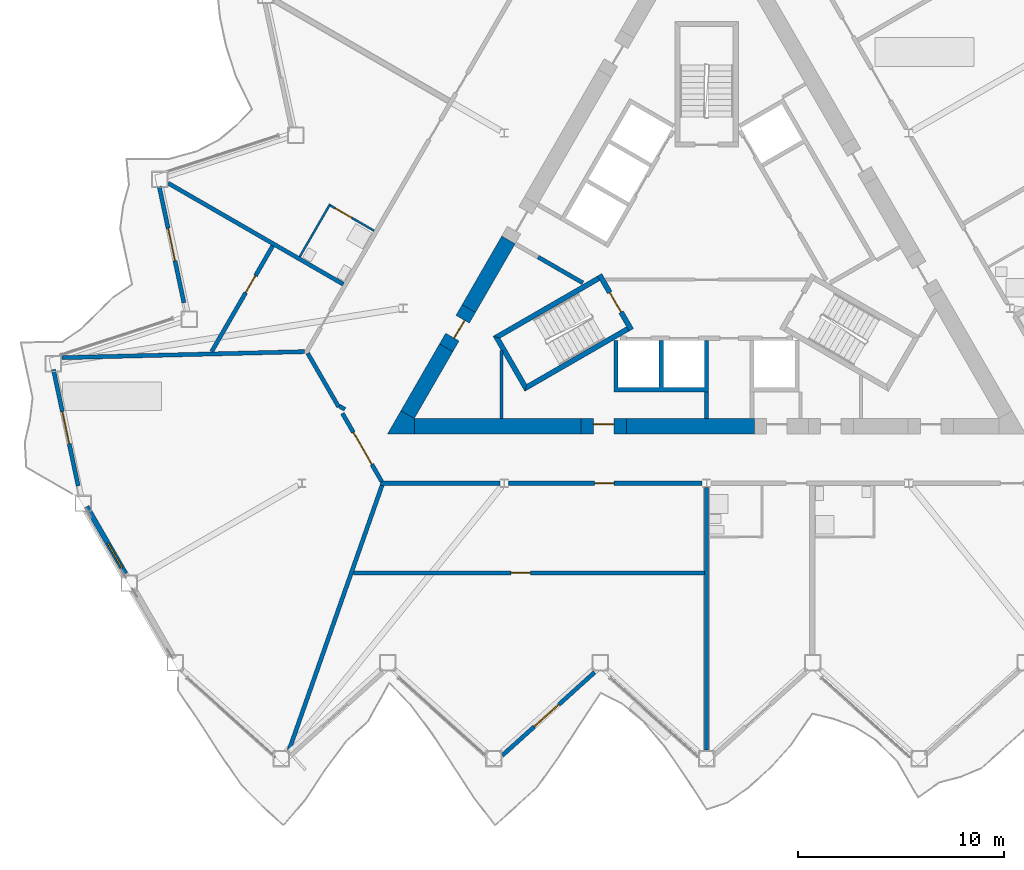
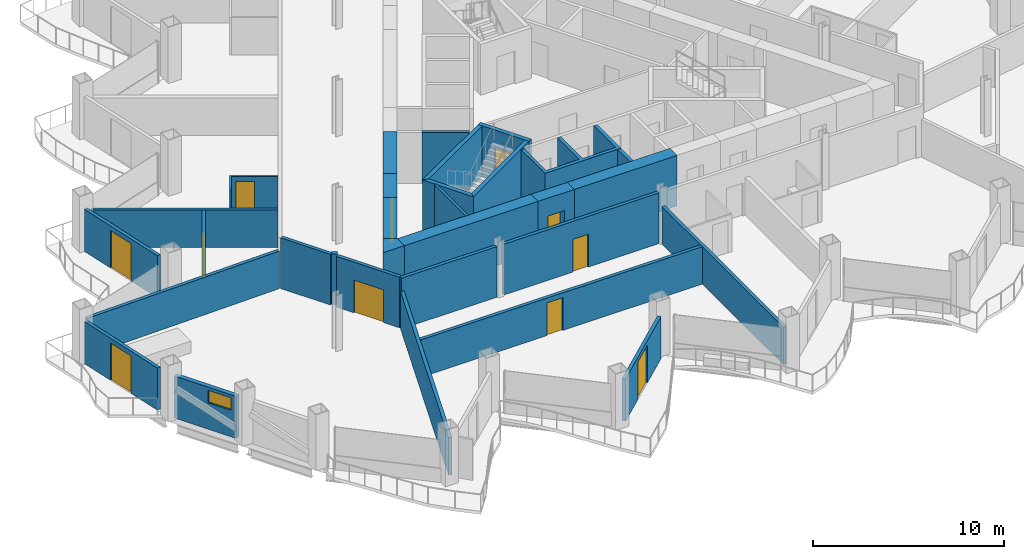
# One storey, part 10 of 22: 32 walls, 11 doors, 1 window, 12 openings.
"""IFC4 building model written with IfcOpenShell, lengths in metres."""

from ifc_helpers import new_model, si_unit, direction, frame, frame_2d, origin, place, context, subcontext, project, spatial, polyline, rectangle, outline, extrude, material, layer, layer_set, type_object, element, fill, save


model = new_model("IFC4")

# Units and contexts
model_context = context("Model", 3, precision=1e-05, world=origin(), true_north=direction((0.0, 1.0)))
body_context = subcontext(model_context, "Body", "Model", "MODEL_VIEW")
ifc_project = project(units=[si_unit("LENGTHUNIT", "METRE"), si_unit("AREAUNIT", "SQUARE_METRE"), si_unit("VOLUMEUNIT", "CUBIC_METRE"), si_unit("PLANEANGLEUNIT", "RADIAN"), si_unit("MASSUNIT", "GRAM", prefix="KILO")], contexts=[model_context])

# Site, building, storey
site_placement = place(None, origin())
site = spatial("IfcSite", under=ifc_project, at=site_placement, CompositionType="ELEMENT")
building_placement = place(site_placement, origin())
building = spatial("IfcBuilding", under=site, at=building_placement, Name="Cormorant Prow Tower", CompositionType="ELEMENT")
storey_placement = place(building_placement, frame((0.0, 0.0, 198.0)))
storey = spatial("IfcBuildingStorey", under=building, at=storey_placement, Name="L43", CompositionType="ELEMENT", Elevation=198.0)

# Walls
ifc_material_1 = material(Name="Gypsum board partition")
ifc_layer_1 = layer(ifc_material_1, 0.14990234375)
ifc_layer_set_1 = layer_set([ifc_layer_1], Name="Gypsum board partition")
wall_type_1 = type_object("IfcWallType", Name="Core partition 150", PredefinedType="PARTITIONING", material=ifc_layer_set_1)
wall_1_placement = place(storey_placement, frame((-9.970703125, -8.198974609375, 0.0), z_axis=(0.0, 0.0, 1.0), x_axis=(0.0, 1.0, 0.0)))
element("IfcWall", 1, at=wall_1_placement, inside=storey, type_object=wall_type_1, Name="Service room partition", PredefinedType="PARTITIONING", context=body_context, shape_type="SweptSolid", body=[
    extrude(rectangle(XDim=3.304931640625, YDim=0.14990234375, at=frame_2d((1.65234375, 0.0))), origin(), (0.0, 0.0, 1.0), 3.25),
])
ifc_material_2 = material(Name="Concrete 8000 psi", Category="concrete")
ifc_layer_2 = layer(ifc_material_2, 0.75)
ifc_layer_set_2 = layer_set([ifc_layer_2], Name="Concrete 8000 psi")
wall_type_2 = type_object("IfcWallType", Name="Core shear wall 750", PredefinedType="SHEAR", material=ifc_layer_set_2)
wall_2_placement = place(storey_placement, frame((-14.200927734375, -8.573974609375, 0.0), z_axis=(0.0, 0.0, 1.0), x_axis=(1.0, 0.0, 0.0)))
element("IfcWall", 2, at=wall_2_placement, inside=storey, type_object=wall_type_2, Name="Core wall", PredefinedType="SHEAR", context=body_context, shape_type="SweptSolid", body=[
    extrude(rectangle(XDim=8.10302734375, YDim=0.75, at=frame_2d((4.051513671875, 0.0))), origin(), (0.0, 0.0, 1.0), 3.25),
])
wall_3_placement = place(storey_placement, frame((-3.897705078125, -8.573974609375, 0.0), z_axis=(0.0, 0.0, 1.0), x_axis=(1.0, 0.0, 0.0)))
element("IfcWall", 3, at=wall_3_placement, inside=storey, type_object=wall_type_2, Name="Core wall", PredefinedType="SHEAR", context=body_context, shape_type="SweptSolid", body=[
    extrude(rectangle(XDim=6.2177734375, YDim=0.75, at=frame_2d((3.10888671875, 0.0))), origin(), (0.0, 0.0, 1.0), 3.25),
])
wall_4_placement = place(storey_placement, frame((-9.625244140625, 0.4765625, 0.0), z_axis=(0.0, 0.0, 1.0), x_axis=(-0.499951145694, -0.866053607994, 0.0)))
element("IfcWall", 4, at=wall_4_placement, inside=storey, type_object=wall_type_2, Name="Core wall", PredefinedType="SHEAR", context=body_context, shape_type="SweptSolid", body=[
    extrude(rectangle(XDim=3.8505859375, YDim=0.75, at=frame_2d((1.92529296875, 0.0))), origin(), (0.0, 0.0, 1.0), 3.25),
])
wall_5_placement = place(storey_placement, frame((-12.650390625, -4.763427734375, 0.0), z_axis=(0.0, 0.0, 1.0), x_axis=(-0.499996681051, -0.866027319972, 0.0)))
element("IfcWall", 5, at=wall_5_placement, inside=storey, type_object=wall_type_2, Name="Core wall", PredefinedType="SHEAR", context=body_context, shape_type="SweptSolid", body=[
    extrude(rectangle(XDim=3.75048828125, YDim=0.75, at=frame_2d((1.875244140625, 0.0))), origin(), (0.0, 0.0, 1.0), 3.25),
])
wall_6_placement = place(storey_placement, origin())
element("IfcWall", 6, at=wall_6_placement, inside=storey, type_object=wall_type_2, Name="Core wall corner", PredefinedType="SHEAR", context=body_context, shape_type="SweptSolid", body=[
    extrude(outline(polyline([(-14.8505859375, -7.823974609375), (-14.200927734375, -8.198974609375), (-14.200927734375, -8.948974609375), (-15.5, -8.948974609375), (-14.8505859375, -7.823974609375)])), origin(), (0.0, 0.0, 1.0), 3.25),
])

# Wall, opening, door
wall_7_placement = place(storey_placement, frame((-6.097900390625, -8.573974609375, 0.0), z_axis=(0.0, 0.0, 1.0), x_axis=(1.0, 0.0, 0.0)))
wall_7 = element("IfcWall", 7, at=wall_7_placement, inside=storey, type_object=wall_type_2, Name="Core wall door panel", PredefinedType="SHEAR", context=body_context, shape_type="SweptSolid", body=[
    extrude(rectangle(XDim=2.2001953125, YDim=0.75, at=frame_2d((1.10009765625, 0.0))), origin(), (0.0, 0.0, 1.0), 3.25),
])
opening_1_placement = place(wall_7_placement, frame((0.60009765625, 0.0, 0.0)))
opening_1 = element("IfcOpeningElement", 8, at=opening_1_placement, cuts=wall_7, Name="Opening L43-C14", PredefinedType="OPENING", context=body_context, shape_type="SweptSolid", body=[
    extrude(rectangle(XDim=1.0, YDim=2.10009765625, at=frame_2d((0.5, 1.050048828125))), frame((0.0, 0.385009765625, 0.0), z_axis=(0.0, -1.0, 0.0), x_axis=(1.0, 0.0, 0.0)), (0.0, 0.0, 1.0), 0.77001953125),
])
ifc_material_3 = material(Name="Painted steel", Category="steel")
door_type_1 = type_object("IfcDoorType", Name="Service door 1000x2100", OperationType="NOTDEFINED", PredefinedType="DOOR", material=ifc_material_3)
door_1_placement = place(opening_1_placement, origin())
door_1 = element("IfcDoor", 9, at=door_1_placement, inside=storey, type_object=door_type_1, Name="Core door, Pantry store", OperationType="SINGLE_SWING_RIGHT", OverallHeight=2.10009765625, OverallWidth=1.0, PredefinedType="DOOR", context=body_context, shape_type="SweptSolid", body=[
    extrude(rectangle(XDim=1.0, YDim=2.10009765625, at=frame_2d((0.5, 1.050048828125))), frame((0.0, 0.1298828125, 0.0), z_axis=(0.0, -1.0, 0.0), x_axis=(1.0, 0.0, 0.0)), (0.0, 0.0, 1.0), 0.050048828125),
])
fill(opening_1, door_1)

wall_8_placement = place(storey_placement, frame((-11.550537109375, -2.858154296875, 0.0), z_axis=(0.0, 0.0, 1.0), x_axis=(-0.499946605688, -0.86605622881, 0.0)))
wall_8 = element("IfcWall", 10, at=wall_8_placement, inside=storey, type_object=wall_type_2, Name="Core wall door panel", PredefinedType="SHEAR", context=body_context, shape_type="SweptSolid", body=[
    extrude(rectangle(XDim=2.199951171875, YDim=0.75, at=frame_2d((1.10009765625, 0.0))), origin(), (0.0, 0.0, 1.0), 3.25),
])
opening_2_placement = place(wall_8_placement, frame((0.60009765625, 0.0, 0.0)))
opening_2 = element("IfcOpeningElement", 11, at=opening_2_placement, cuts=wall_8, Name="Opening L43-C17", PredefinedType="OPENING", context=body_context, shape_type="SweptSolid", body=[
    extrude(rectangle(XDim=1.0, YDim=2.10009765625, at=frame_2d((0.5, 1.050048828125))), frame((0.0, 0.385009765625, 0.0), z_axis=(0.0, -1.0, 0.0), x_axis=(1.0, 0.0, 0.0)), (0.0, 0.0, 1.0), 0.77001953125),
])
door_2_placement = place(opening_2_placement, origin())
door_2 = element("IfcDoor", 12, at=door_2_placement, inside=storey, type_object=door_type_1, Name="Core door, Telecom room", OperationType="SINGLE_SWING_RIGHT", OverallHeight=2.10009765625, OverallWidth=1.0, PredefinedType="DOOR", context=body_context, shape_type="SweptSolid", body=[
    extrude(rectangle(XDim=1.0, YDim=2.10009765625, at=frame_2d((0.5, 1.050048828125))), frame((0.0, 0.1298828125, 0.0), z_axis=(0.0, -1.0, 0.0), x_axis=(1.0, 0.0, 0.0)), (0.0, 0.0, 1.0), 0.050048828125),
])
fill(opening_2, door_2)

ifc_material_4 = material(Name="Gypsum board corridor wall")
ifc_layer_3 = layer(ifc_material_4, 0.199951171875)
ifc_layer_set_3 = layer_set([ifc_layer_3], Name="Gypsum board corridor wall")
wall_type_3 = type_object("IfcWallType", Name="Corridor wall 200", PredefinedType="PARTITIONING", material=ifc_layer_set_3)
wall_9_placement = place(storey_placement, frame((-9.61474609375, -11.348876953125, 0.0), z_axis=(0.0, 0.0, 1.0), x_axis=(1.0, 0.0, 0.0)))
wall_9 = element("IfcWall", 13, at=wall_9_placement, inside=storey, type_object=wall_type_3, Name="Corridor wall", PredefinedType="PARTITIONING", context=body_context, shape_type="SweptSolid", body=[
    extrude(rectangle(XDim=9.401123046875, YDim=0.199951171875, at=frame_2d((4.70068359375, 0.0))), origin(), (0.0, 0.0, 1.0), 3.25),
])
opening_3_placement = place(wall_9_placement, frame((4.17529296875, 0.0, 0.0)))
opening_3 = element("IfcOpeningElement", 14, at=opening_3_placement, cuts=wall_9, Name="Opening L43-F01", PredefinedType="OPENING", context=body_context, shape_type="SweptSolid", body=[
    extrude(rectangle(XDim=0.949951171875, YDim=2.10009765625, at=frame_2d((0.47509765625, 1.050048828125))), frame((0.0, 0.10986328125, 0.0), z_axis=(0.0, -1.0, 0.0), x_axis=(1.0, 0.0, 0.0)), (0.0, 0.0, 1.0), 0.219970703125),
])
ifc_material_5 = material(Name="Timber door leaf", Category="wood")
door_type_2 = type_object("IfcDoorType", Name="Store door 950x2100", OperationType="NOTDEFINED", PredefinedType="DOOR", material=ifc_material_5)
door_3_placement = place(opening_3_placement, origin())
door_3 = element("IfcDoor", 15, at=door_3_placement, inside=storey, type_object=door_type_2, Name="Housekeeping room door", OperationType="SINGLE_SWING_RIGHT", OverallHeight=2.10009765625, OverallWidth=0.949951171875, PredefinedType="DOOR", context=body_context, shape_type="SweptSolid", body=[
    extrude(rectangle(XDim=0.949951171875, YDim=2.10009765625, at=frame_2d((0.47509765625, 1.050048828125))), frame((0.0, 0.02490234375, 0.0), z_axis=(0.0, -1.0, 0.0), x_axis=(1.0, 0.0, 0.0)), (0.0, 0.0, 1.0), 0.050048828125),
])
fill(opening_3, door_3)

# Wall
wall_10_placement = place(storey_placement, frame((-15.830810546875, -11.348876953125, 0.0), z_axis=(0.0, 0.0, 1.0), x_axis=(1.0, 0.0, 0.0)))
element("IfcWall", 16, at=wall_10_placement, inside=storey, type_object=wall_type_3, Name="Corridor wall", PredefinedType="PARTITIONING", context=body_context, shape_type="SweptSolid", body=[
    extrude(rectangle(XDim=5.78857421875, YDim=0.199951171875, at=frame_2d((2.894287109375, 0.0))), origin(), (0.0, 0.0, 1.0), 3.25),
])

# Wall, opening, door
wall_11_placement = place(storey_placement, frame((-17.69384765625, -7.948974609375, 0.0), z_axis=(0.0, 0.0, 1.0), x_axis=(0.499989446428, -0.866031496806, 0.0)))
wall_11 = element("IfcWall", 17, at=wall_11_placement, inside=storey, type_object=wall_type_3, Name="Corridor wall", PredefinedType="PARTITIONING", context=body_context, shape_type="SweptSolid", body=[
    extrude(rectangle(XDim=3.82568359375, YDim=0.199951171875, at=frame_2d((1.912841796875, 0.0))), origin(), (0.0, 0.0, 1.0), 3.25),
])
opening_4_placement = place(wall_11_placement, frame((1.06396484375, 0.0, 0.0)))
opening_4 = element("IfcOpeningElement", 18, at=opening_4_placement, cuts=wall_11, Name="Opening L43-F28", PredefinedType="OPENING", context=body_context, shape_type="SweptSolid", body=[
    extrude(rectangle(XDim=1.800048828125, YDim=2.10009765625, at=frame_2d((0.89990234375, 1.050048828125))), frame((0.0, 0.10986328125, 0.0), z_axis=(0.0, -1.0, 0.0), x_axis=(1.0, 0.0, 0.0)), (0.0, 0.0, 1.0), 0.219970703125),
])
ifc_material_6 = material(Name="Timber door leaf", Category="wood")
door_type_3 = type_object("IfcDoorType", Name="Double door 1800x2100", OperationType="DOUBLE_DOOR_SINGLE_SWING", PredefinedType="DOOR", material=ifc_material_6)
door_4_placement = place(opening_4_placement, origin())
door_4 = element("IfcDoor", 19, at=door_4_placement, inside=storey, type_object=door_type_3, Name="Co-working space door", OperationType="DOUBLE_DOOR_SINGLE_SWING", OverallHeight=2.10009765625, OverallWidth=1.800048828125, PredefinedType="DOOR", context=body_context, shape_type="SweptSolid", body=[
    extrude(rectangle(XDim=1.800048828125, YDim=2.10009765625, at=frame_2d((0.89990234375, 1.050048828125))), frame((0.0, 0.02490234375, 0.0), z_axis=(0.0, -1.0, 0.0), x_axis=(1.0, 0.0, 0.0)), (0.0, 0.0, 1.0), 0.050048828125),
])
fill(opening_4, door_4)

# Walls
wall_12_placement = place(storey_placement, frame((-19.3759765625, -5.035400390625, 0.0), z_axis=(0.0, 0.0, 1.0), x_axis=(0.499952404951, -0.866052881055, 0.0)))
element("IfcWall", 20, at=wall_12_placement, inside=storey, type_object=wall_type_3, Name="Corridor wall", PredefinedType="PARTITIONING", context=body_context, shape_type="SweptSolid", body=[
    extrude(rectangle(XDim=3.002197265625, YDim=0.199951171875, at=frame_2d((1.5009765625, 0.0))), origin(), (0.0, 0.0, 1.0), 3.25),
])
wall_13_placement = place(storey_placement, frame((-17.83837890625, -7.598876953125, 0.0), z_axis=(0.0, 0.0, 1.0), x_axis=(0.866054481515, -0.499949632511, 0.0)))
element("IfcWall", 21, at=wall_13_placement, inside=storey, type_object=wall_type_3, Name="Corridor wall", PredefinedType="PARTITIONING", context=body_context, shape_type="SweptSolid", body=[
    extrude(rectangle(XDim=0.31005859375, YDim=0.199951171875, at=frame_2d((0.155029296875, 0.0))), origin(), (0.0, 0.0, 1.0), 3.25),
])

# Wall, opening, door
ifc_material_7 = material(Name="Gypsum board demising wall")
ifc_layer_4 = layer(ifc_material_7, 0.199951171875)
ifc_layer_set_4 = layer_set([ifc_layer_4], Name="Gypsum board demising wall")
wall_type_4 = type_object("IfcWallType", Name="Demising wall 200", PredefinedType="PARTITIONING", material=ifc_layer_set_4)
wall_14_placement = place(storey_placement, frame((-17.1591796875, -15.698974609375, 0.0), z_axis=(0.0, 0.0, 1.0), x_axis=(1.0, 0.0, 0.0)))
wall_14 = element("IfcWall", 22, at=wall_14_placement, inside=storey, type_object=wall_type_4, Name="Demising wall", PredefinedType="PARTITIONING", context=body_context, shape_type="SweptSolid", body=[
    extrude(rectangle(XDim=17.05908203125, YDim=0.199951171875, at=frame_2d((8.529541015625, 0.0))), origin(), (0.0, 0.0, 1.0), 2.404296875),
])
opening_5_placement = place(wall_14_placement, frame((7.654541015625, 0.0, 0.0)))
opening_5 = element("IfcOpeningElement", 23, at=opening_5_placement, cuts=wall_14, Name="Opening L43-F02", PredefinedType="OPENING", context=body_context, shape_type="SweptSolid", body=[
    extrude(rectangle(XDim=0.949951171875, YDim=2.10009765625, at=frame_2d((0.47509765625, 1.050048828125))), frame((0.0, 0.10986328125, 0.0), z_axis=(0.0, -1.0, 0.0), x_axis=(1.0, 0.0, 0.0)), (0.0, 0.0, 1.0), 0.219970703125),
])
door_5_placement = place(opening_5_placement, origin())
door_5 = element("IfcDoor", 24, at=door_5_placement, inside=storey, type_object=door_type_2, Name="Linen store door", OperationType="SINGLE_SWING_RIGHT", OverallHeight=2.10009765625, OverallWidth=0.949951171875, PredefinedType="DOOR", context=body_context, shape_type="SweptSolid", body=[
    extrude(rectangle(XDim=0.949951171875, YDim=2.10009765625, at=frame_2d((0.47509765625, 1.050048828125))), frame((0.0, 0.02490234375, 0.0), z_axis=(0.0, -1.0, 0.0), x_axis=(1.0, 0.0, 0.0)), (0.0, 0.0, 1.0), 0.050048828125),
])
fill(opening_5, door_5)

# Walls
wall_15_placement = place(storey_placement, frame((-20.28564453125, -24.3115234375, 0.0), z_axis=(0.0, 0.0, 1.0), x_axis=(0.331517429591, 0.943449094481, 0.0)))
element("IfcWall", 25, at=wall_15_placement, inside=storey, type_object=wall_type_4, Name="Demising wall", PredefinedType="PARTITIONING", context=body_context, shape_type="SweptSolid", body=[
    extrude(rectangle(XDim=13.639404296875, YDim=0.199951171875, at=frame_2d((6.81982421875, 0.0))), origin(), (0.0, 0.0, 1.0), 2.404296875),
])
wall_16_placement = place(storey_placement, frame((0.0, -24.3115234375, 0.0), z_axis=(0.0, 0.0, 1.0), x_axis=(0.0, 1.0, 0.0)))
element("IfcWall", 26, at=wall_16_placement, inside=storey, type_object=wall_type_4, Name="Demising wall", PredefinedType="PARTITIONING", context=body_context, shape_type="SweptSolid", body=[
    extrude(rectangle(XDim=12.7490234375, YDim=0.199951171875, at=frame_2d((6.37451171875, 0.0))), origin(), (0.0, 0.0, 1.0), 2.404296875),
])
wall_17_placement = place(storey_placement, frame((-31.3291015625, -5.245849609375, 0.0), z_axis=(0.0, 0.0, 1.0), x_axis=(0.999689013957, 0.024937429174, 0.0)))
element("IfcWall", 27, at=wall_17_placement, inside=storey, type_object=wall_type_4, Name="Demising wall", PredefinedType="PARTITIONING", context=body_context, shape_type="SweptSolid", body=[
    extrude(rectangle(XDim=11.806884765625, YDim=0.199951171875, at=frame_2d((5.9033203125, 0.0))), origin(), (0.0, 0.0, 1.0), 2.404296875),
])
wall_18_placement = place(storey_placement, frame((-26.164306640625, 3.239013671875, 0.0), z_axis=(0.0, 0.0, 1.0), x_axis=(0.866025932773, -0.499999083763, 0.0)))
element("IfcWall", 28, at=wall_18_placement, inside=storey, type_object=wall_type_4, Name="Demising wall", PredefinedType="PARTITIONING", context=body_context, shape_type="SweptSolid", body=[
    extrude(rectangle(XDim=9.82958984375, YDim=0.199951171875, at=frame_2d((4.914794921875, 0.0))), origin(), (0.0, 0.0, 1.0), 2.404296875),
])

# Wall, opening, door
wall_19_placement = place(storey_placement, frame((-24.044921875, -4.948974609375, 0.0), z_axis=(0.0, 0.0, 1.0), x_axis=(0.500016988964, 0.866015594979, 0.0)))
wall_19 = element("IfcWall", 29, at=wall_19_placement, inside=storey, type_object=wall_type_4, Name="Demising wall", PredefinedType="PARTITIONING", context=body_context, shape_type="SweptSolid", body=[
    extrude(rectangle(XDim=5.931396484375, YDim=0.199951171875, at=frame_2d((2.9658203125, 0.0))), origin(), (0.0, 0.0, 1.0), 2.404296875),
])
opening_6_placement = place(wall_19_placement, frame((3.305419921875, 0.0, 0.0)))
opening_6 = element("IfcOpeningElement", 30, at=opening_6_placement, cuts=wall_19, Name="Opening L43-F27", PredefinedType="OPENING", context=body_context, shape_type="SweptSolid", body=[
    extrude(rectangle(XDim=0.949951171875, YDim=2.10009765625, at=frame_2d((0.47509765625, 1.050048828125))), frame((0.0, 0.10986328125, 0.0), z_axis=(0.0, -1.0, 0.0), x_axis=(1.0, 0.0, 0.0)), (0.0, 0.0, 1.0), 0.219970703125),
])
door_6_placement = place(opening_6_placement, origin())
door_6 = element("IfcDoor", 31, at=door_6_placement, inside=storey, type_object=door_type_2, Name="Service store door", OperationType="SINGLE_SWING_RIGHT", OverallHeight=2.10009765625, OverallWidth=0.949951171875, PredefinedType="DOOR", context=body_context, shape_type="SweptSolid", body=[
    extrude(rectangle(XDim=0.949951171875, YDim=2.10009765625, at=frame_2d((0.47509765625, 1.050048828125))), frame((0.0, 0.02490234375, 0.0), z_axis=(0.0, -1.0, 0.0), x_axis=(1.0, 0.0, 0.0)), (0.0, 0.0, 1.0), 0.050048828125),
])
fill(opening_6, door_6)

# Wall
ifc_material_8 = material(Name="Gypsum board partition")
ifc_layer_5 = layer(ifc_material_8, 0.10009765625)
ifc_layer_set_5 = layer_set([ifc_layer_5], Name="Gypsum board partition")
wall_type_5 = type_object("IfcWallType", Name="Internal partition 100", PredefinedType="PARTITIONING", material=ifc_layer_set_5)
wall_20_placement = place(storey_placement, frame((-19.7666015625, -0.339111328125, 0.0), z_axis=(0.0, 0.0, 1.0), x_axis=(0.499939757307, 0.866060182126, 0.0)))
element("IfcWall", 32, at=wall_20_placement, inside=storey, type_object=wall_type_5, Name="Internal partition", PredefinedType="PARTITIONING", context=body_context, shape_type="SweptSolid", body=[
    extrude(rectangle(XDim=2.949951171875, YDim=0.10009765625, at=frame_2d((1.47509765625, 0.0))), origin(), (0.0, 0.0, 1.0), 2.404296875),
])

# Wall, opening, door
wall_21_placement = place(storey_placement, frame((-18.2734375, 2.1474609375, 0.0), z_axis=(0.0, 0.0, 1.0), x_axis=(0.866014668023, -0.500018594424, 0.0)))
wall_21 = element("IfcWall", 33, at=wall_21_placement, inside=storey, type_object=wall_type_5, Name="Internal partition", PredefinedType="PARTITIONING", context=body_context, shape_type="SweptSolid", body=[
    extrude(rectangle(XDim=2.4501953125, YDim=0.10009765625, at=frame_2d((1.22509765625, 0.0))), origin(), (0.0, 0.0, 1.0), 2.404296875),
])
opening_7_placement = place(wall_21_placement, frame((0.25, 0.0, 0.0)))
opening_7 = element("IfcOpeningElement", 34, at=opening_7_placement, cuts=wall_21, Name="Opening L43-F25", PredefinedType="OPENING", context=body_context, shape_type="SweptSolid", body=[
    extrude(rectangle(XDim=0.949951171875, YDim=2.10009765625, at=frame_2d((0.47509765625, 1.050048828125))), frame((0.0, 0.06005859375, 0.0), z_axis=(0.0, -1.0, 0.0), x_axis=(1.0, 0.0, 0.0)), (0.0, 0.0, 1.0), 0.1201171875),
])
ifc_material_9 = material(Name="Timber door leaf", Category="wood")
door_type_4 = type_object("IfcDoorType", Name="Bathroom door 950x2100", OperationType="NOTDEFINED", PredefinedType="DOOR", material=ifc_material_9)
door_7_placement = place(opening_7_placement, origin())
door_7 = element("IfcDoor", 35, at=door_7_placement, inside=storey, type_object=door_type_4, Name="Junior suite door", OperationType="SINGLE_SWING_LEFT", OverallHeight=2.10009765625, OverallWidth=0.949951171875, PredefinedType="DOOR", context=body_context, shape_type="SweptSolid", body=[
    extrude(rectangle(XDim=0.949951171875, YDim=2.10009765625, at=frame_2d((0.47509765625, 1.050048828125))), frame((0.0, 0.02490234375, 0.0), z_axis=(0.0, -1.0, 0.0), x_axis=(1.0, 0.0, 0.0)), (0.0, 0.0, 1.0), 0.050048828125),
])
fill(opening_7, door_7)

# Walls
ifc_material_10 = material(Name="Concrete 8000 psi", Category="concrete")
ifc_layer_6 = layer(ifc_material_10, 0.199951171875)
ifc_layer_set_6 = layer_set([ifc_layer_6], Name="Concrete 8000 psi")
wall_type_6 = type_object("IfcWallType", Name="Lift shaft wall 200", PredefinedType="SHEAR", material=ifc_layer_set_6)
wall_22_placement = place(storey_placement, origin())
element("IfcWall", 36, at=wall_22_placement, inside=storey, type_object=wall_type_6, Name="Lift shaft walls, S block", PredefinedType="SHEAR", context=body_context, shape_type="SweptSolid", body=[
    extrude(outline(polyline([(0.10009765625, -4.39990234375), (0.10009765625, -6.906005859375), (-4.5, -6.906005859375), (-4.5, -4.39990234375), (-4.300048828125, -4.39990234375), (-4.300048828125, -6.699951171875), (-2.300048828125, -6.699951171875), (-2.300048828125, -4.39990234375), (-2.10009765625, -4.39990234375), (-2.10009765625, -6.699951171875), (-0.10009765625, -6.699951171875), (-0.10009765625, -4.39990234375), (0.10009765625, -4.39990234375)])), origin(), (0.0, 0.0, 1.0), 3.25),
])
wall_23_placement = place(storey_placement, frame((0.0, -6.906005859375, 0.0), z_axis=(0.0, 0.0, 1.0), x_axis=(0.0, -1.0, 0.0)))
element("IfcWall", 37, at=wall_23_placement, inside=storey, type_object=wall_type_6, Name="Store side wall", PredefinedType="SHEAR", context=body_context, shape_type="SweptSolid", body=[
    extrude(rectangle(XDim=1.29296875, YDim=0.199951171875, at=frame_2d((0.646484375, 0.0))), origin(), (0.0, 0.0, 1.0), 3.25),
])
wall_24_placement = place(storey_placement, origin())
element("IfcWall", 38, at=wall_24_placement, inside=storey, type_object=wall_type_6, Name="Lift shaft walls, WNW block", PredefinedType="SHEAR", context=body_context, shape_type="SweptSolid", body=[
    extrude(outline(polyline([(-6.060546875, -1.697021484375), (-8.230712890625, -0.444091796875), (-8.130859375, -0.27099609375), (-5.96044921875, -1.52392578125), (-6.060546875, -1.697021484375)])), origin(), (0.0, 0.0, 1.0), 3.25),
])
ifc_material_11 = material(Name="Concrete 8000 psi", Category="concrete")
ifc_layer_7 = layer(ifc_material_11, 0.25)
ifc_layer_set_7 = layer_set([ifc_layer_7], Name="Concrete 8000 psi")
wall_type_7 = type_object("IfcWallType", Name="Stair wall 250", PredefinedType="SHEAR", material=ifc_layer_set_7)
wall_25_placement = place(storey_placement, origin())
element("IfcWall", 39, at=wall_25_placement, inside=storey, type_object=wall_type_7, Name="Stair ST1 enclosure wall (flank)", PredefinedType="SHEAR", context=body_context, shape_type="SweptSolid", body=[
    extrude(outline(polyline([(-5.30712890625, -1.28125), (-10.37353515625, -4.206298828125), (-10.031982421875, -4.2978515625), (-5.18212890625, -1.497802734375), (-5.30712890625, -1.28125)])), origin(), (0.0, 0.0, 1.0), 3.25),
])
wall_26_placement = place(storey_placement, origin())
element("IfcWall", 40, at=wall_26_placement, inside=storey, type_object=wall_type_7, Name="Stair ST1 enclosure wall (end)", PredefinedType="SHEAR", context=body_context, shape_type="SweptSolid", body=[
    extrude(outline(polyline([(-10.37353515625, -4.206298828125), (-8.82958984375, -6.880615234375), (-8.738037109375, -6.5390625), (-10.031982421875, -4.2978515625), (-10.37353515625, -4.206298828125)])), origin(), (0.0, 0.0, 1.0), 3.25),
])
wall_27_placement = place(storey_placement, origin())
element("IfcWall", 41, at=wall_27_placement, inside=storey, type_object=wall_type_7, Name="Stair ST1 enclosure wall (flank)", PredefinedType="SHEAR", context=body_context, shape_type="SweptSolid", body=[
    extrude(outline(polyline([(-8.738037109375, -6.5390625), (-8.82958984375, -6.880615234375), (-3.76318359375, -3.95556640625), (-3.88818359375, -3.739013671875), (-8.738037109375, -6.5390625)])), origin(), (0.0, 0.0, 1.0), 3.25),
])

# Wall, opening, door
wall_28_placement = place(storey_placement, frame((-5.198974609375, -1.21875, 0.0), z_axis=(0.0, 0.0, 1.0), x_axis=(0.499982516597, -0.866035497597, 0.0)))
wall_28 = element("IfcWall", 42, at=wall_28_placement, inside=storey, type_object=wall_type_7, Name="Stair ST1 door wall", PredefinedType="SHEAR", context=body_context, shape_type="SweptSolid", body=[
    extrude(rectangle(XDim=3.087890625, YDim=0.25, at=frame_2d((1.5439453125, 0.0))), origin(), (0.0, 0.0, 1.0), 3.25),
])
opening_8_placement = place(wall_28_placement, frame((0.993896484375, 0.0, 0.0)))
opening_8 = element("IfcOpeningElement", 43, at=opening_8_placement, cuts=wall_28, Name="Opening L43-C10", PredefinedType="OPENING", context=body_context, shape_type="SweptSolid", body=[
    extrude(rectangle(XDim=1.10009765625, YDim=2.10009765625, at=frame_2d((0.550048828125, 1.050048828125))), frame((0.0, 0.135009765625, 0.0), z_axis=(0.0, -1.0, 0.0), x_axis=(1.0, 0.0, 0.0)), (0.0, 0.0, 1.0), 0.27001953125),
])
ifc_material_12 = material(Name="Painted steel", Category="steel")
door_type_5 = type_object("IfcDoorType", Name="Stair door 1100x2100", OperationType="NOTDEFINED", PredefinedType="DOOR", material=ifc_material_12)
door_8_placement = place(opening_8_placement, origin())
door_8 = element("IfcDoor", 44, at=door_8_placement, inside=storey, type_object=door_type_5, Name="Stair ST1 door", OperationType="SINGLE_SWING_LEFT", OverallHeight=2.10009765625, OverallWidth=1.10009765625, PredefinedType="DOOR", context=body_context, shape_type="SweptSolid", body=[
    extrude(rectangle(XDim=1.10009765625, YDim=2.10009765625, at=frame_2d((0.550048828125, 1.050048828125))), frame((0.0, 0.02490234375, 0.0), z_axis=(0.0, -1.0, 0.0), x_axis=(1.0, 0.0, 0.0)), (0.0, 0.0, 1.0), 0.050048828125),
])
fill(opening_8, door_8)

# Wall, opening, window
ifc_material_13 = material(Name="Terracotta", Category="masonry")
ifc_layer_8 = layer(ifc_material_13, 0.25)
ifc_layer_set_8 = layer_set([ifc_layer_8], Name="Terracotta")
wall_type_8 = type_object("IfcWallType", Name="Terracotta bay wall 250", PredefinedType="SOLIDWALL", material=ifc_layer_set_8)
wall_29_placement = place(storey_placement, frame((-30.1201171875, -12.48046875, 0.0), z_axis=(0.0, 0.0, 1.0), x_axis=(0.500034075199, -0.866005729565, 0.0)))
wall_29 = element("IfcWall", 45, at=wall_29_placement, inside=storey, type_object=wall_type_8, Name="Terracotta bay wall WSW00", PredefinedType="SOLIDWALL", context=body_context, shape_type="SweptSolid", body=[
    extrude(rectangle(XDim=3.775146484375, YDim=0.25, at=frame_2d((1.8876953125, 0.0))), origin(), (0.0, 0.0, 1.0), 2.700927734375),
])
opening_9_placement = place(wall_29_placement, frame((2.050048828125, 0.0, 1.699951171875)))
opening_9 = element("IfcOpeningElement", 46, at=opening_9_placement, cuts=wall_29, Name="Opening WN3", PredefinedType="OPENING", context=body_context, shape_type="SweptSolid", body=[
    extrude(rectangle(XDim=1.39990234375, YDim=0.800048828125, at=frame_2d((0.699951171875, 0.39990234375))), frame((0.0, 0.135009765625, 0.0), z_axis=(0.0, -1.0, 0.0), x_axis=(1.0, 0.0, 0.0)), (0.0, 0.0, 1.0), 0.27001953125),
])
ifc_material_14 = material(Name="Aluminium 6063-T6", Category="aluminium")
window_type = type_object("IfcWindowType", Name="Corner bay window 1400x800", PartitioningType="SINGLE_PANEL", PredefinedType="WINDOW", material=ifc_material_14)
window_placement = place(opening_9_placement, origin())
window = element("IfcWindow", 47, at=window_placement, inside=storey, type_object=window_type, Name="Corner bay window WSW00", OverallHeight=0.800048828125, OverallWidth=1.39990234375, PartitioningType="SINGLE_PANEL", PredefinedType="WINDOW", context=body_context, shape_type="SweptSolid", body=[
    extrude(rectangle(XDim=1.39990234375, YDim=0.800048828125, at=frame_2d((0.699951171875, 0.39990234375))), frame((0.0, 0.030029296875, 0.0), z_axis=(0.0, -1.0, 0.0), x_axis=(1.0, 0.0, 0.0)), (0.0, 0.0, 1.0), 0.06005859375),
])
fill(opening_9, window)

# Wall, opening, door
ifc_material_15 = material(Name="Terracotta", Category="masonry")
ifc_layer_9 = layer(ifc_material_15, 0.199951171875)
ifc_layer_set_9 = layer_set([ifc_layer_9], Name="Terracotta")
wall_type_9 = type_object("IfcWallType", Name="Terracotta jamb wall 200", PredefinedType="SOLIDWALL", material=ifc_layer_set_9)
wall_30_placement = place(storey_placement, frame((-9.921875, -24.5712890625, 0.0), z_axis=(0.0, 0.0, 1.0), x_axis=(0.743151394339, 0.669123310827, 0.0)))
wall_30 = element("IfcWall", 48, at=wall_30_placement, inside=storey, type_object=wall_type_9, Name="Terracotta jamb wall S03", PredefinedType="SOLIDWALL", context=body_context, shape_type="SweptSolid", body=[
    extrude(rectangle(XDim=6.03857421875, YDim=0.199951171875, at=frame_2d((3.019287109375, 0.0))), origin(), (0.0, 0.0, 1.0), 2.700927734375),
])
opening_10_placement = place(wall_30_placement, frame((2.08935546875, 0.0, 0.0)))
opening_10 = element("IfcOpeningElement", 49, at=opening_10_placement, cuts=wall_30, Name="Opening ED43.02", PredefinedType="OPENING", context=body_context, shape_type="SweptSolid", body=[
    extrude(rectangle(XDim=1.60009765625, YDim=2.39990234375, at=frame_2d((0.800048828125, 1.199951171875))), frame((0.0, 0.10986328125, 0.0), z_axis=(0.0, -1.0, 0.0), x_axis=(1.0, 0.0, 0.0)), (0.0, 0.0, 1.0), 0.219970703125),
])
ifc_material_16 = material(Name="Aluminium 6063-T6", Category="aluminium")
door_type_6 = type_object("IfcDoorType", Name="Balcony door 1600x2400", OperationType="DOUBLE_DOOR_SINGLE_SWING", PredefinedType="DOOR", material=ifc_material_16)
door_9_placement = place(opening_10_placement, origin())
door_9 = element("IfcDoor", 50, at=door_9_placement, inside=storey, type_object=door_type_6, Name="Balcony door S03 ED43.02", OperationType="DOUBLE_DOOR_SINGLE_SWING", OverallHeight=2.39990234375, OverallWidth=1.60009765625, PredefinedType="DOOR", context=body_context, shape_type="SweptSolid", body=[
    extrude(rectangle(XDim=1.60009765625, YDim=2.39990234375, at=frame_2d((0.800048828125, 1.199951171875))), frame((0.0, 0.02490234375, 0.0), z_axis=(0.0, -1.0, 0.0), x_axis=(1.0, 0.0, 0.0)), (0.0, 0.0, 1.0), 0.050048828125),
])
fill(opening_10, door_9)

wall_31_placement = place(storey_placement, frame((-26.595458984375, 3.077880859375, 0.0), z_axis=(0.0, 0.0, 1.0), x_axis=(0.207907263894, -0.978148541695, 0.0)))
wall_31 = element("IfcWall", 51, at=wall_31_placement, inside=storey, type_object=wall_type_9, Name="Terracotta jamb wall WNW07", PredefinedType="SOLIDWALL", context=body_context, shape_type="SweptSolid", body=[
    extrude(rectangle(XDim=5.778564453125, YDim=0.199951171875, at=frame_2d((2.88916015625, 0.0))), origin(), (0.0, 0.0, 1.0), 2.700927734375),
])
opening_11_placement = place(wall_31_placement, frame((2.08935546875, 0.0, 0.0)))
opening_11 = element("IfcOpeningElement", 52, at=opening_11_placement, cuts=wall_31, Name="Opening ED43.14", PredefinedType="OPENING", context=body_context, shape_type="SweptSolid", body=[
    extrude(rectangle(XDim=1.60009765625, YDim=2.39990234375, at=frame_2d((0.800048828125, 1.199951171875))), frame((0.0, 0.10986328125, 0.0), z_axis=(0.0, -1.0, 0.0), x_axis=(1.0, 0.0, 0.0)), (0.0, 0.0, 1.0), 0.219970703125),
])
door_10_placement = place(opening_11_placement, origin())
door_10 = element("IfcDoor", 53, at=door_10_placement, inside=storey, type_object=door_type_6, Name="Balcony door WNW07 ED43.14", OperationType="DOUBLE_DOOR_SINGLE_SWING", OverallHeight=2.39990234375, OverallWidth=1.60009765625, PredefinedType="DOOR", context=body_context, shape_type="SweptSolid", body=[
    extrude(rectangle(XDim=1.60009765625, YDim=2.39990234375, at=frame_2d((0.800048828125, 1.199951171875))), frame((0.0, 0.02490234375, 0.0), z_axis=(0.0, -1.0, 0.0), x_axis=(1.0, 0.0, 0.0)), (0.0, 0.0, 1.0), 0.050048828125),
])
fill(opening_11, door_10)

wall_32_placement = place(storey_placement, frame((-31.734130859375, -5.822265625, 0.0), z_axis=(0.0, 0.0, 1.0), x_axis=(0.207907263894, -0.978148541695, 0.0)))
wall_32 = element("IfcWall", 54, at=wall_32_placement, inside=storey, type_object=wall_type_9, Name="Terracotta jamb wall WNW09", PredefinedType="SOLIDWALL", context=body_context, shape_type="SweptSolid", body=[
    extrude(rectangle(XDim=5.778564453125, YDim=0.199951171875, at=frame_2d((2.88916015625, 0.0))), origin(), (0.0, 0.0, 1.0), 2.700927734375),
])
opening_12_placement = place(wall_32_placement, frame((2.08935546875, 0.0, 0.0)))
opening_12 = element("IfcOpeningElement", 55, at=opening_12_placement, cuts=wall_32, Name="Opening ED43.15", PredefinedType="OPENING", context=body_context, shape_type="SweptSolid", body=[
    extrude(rectangle(XDim=1.60009765625, YDim=2.39990234375, at=frame_2d((0.800048828125, 1.199951171875))), frame((0.0, 0.10986328125, 0.0), z_axis=(0.0, -1.0, 0.0), x_axis=(1.0, 0.0, 0.0)), (0.0, 0.0, 1.0), 0.219970703125),
])
door_11_placement = place(opening_12_placement, origin())
door_11 = element("IfcDoor", 56, at=door_11_placement, inside=storey, type_object=door_type_6, Name="Balcony door WNW09 ED43.15", OperationType="DOUBLE_DOOR_SINGLE_SWING", OverallHeight=2.39990234375, OverallWidth=1.60009765625, PredefinedType="DOOR", context=body_context, shape_type="SweptSolid", body=[
    extrude(rectangle(XDim=1.60009765625, YDim=2.39990234375, at=frame_2d((0.800048828125, 1.199951171875))), frame((0.0, 0.02490234375, 0.0), z_axis=(0.0, -1.0, 0.0), x_axis=(1.0, 0.0, 0.0)), (0.0, 0.0, 1.0), 0.050048828125),
])
fill(opening_12, door_11)

save(model, "model.ifc")
